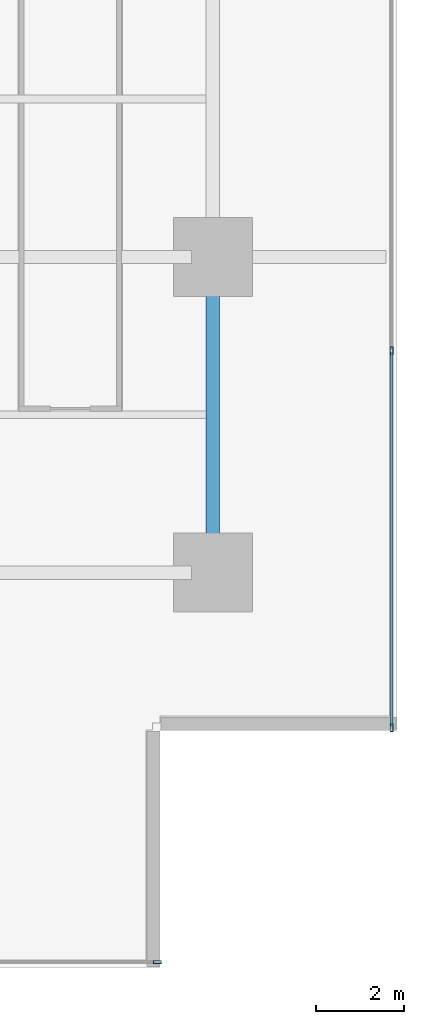
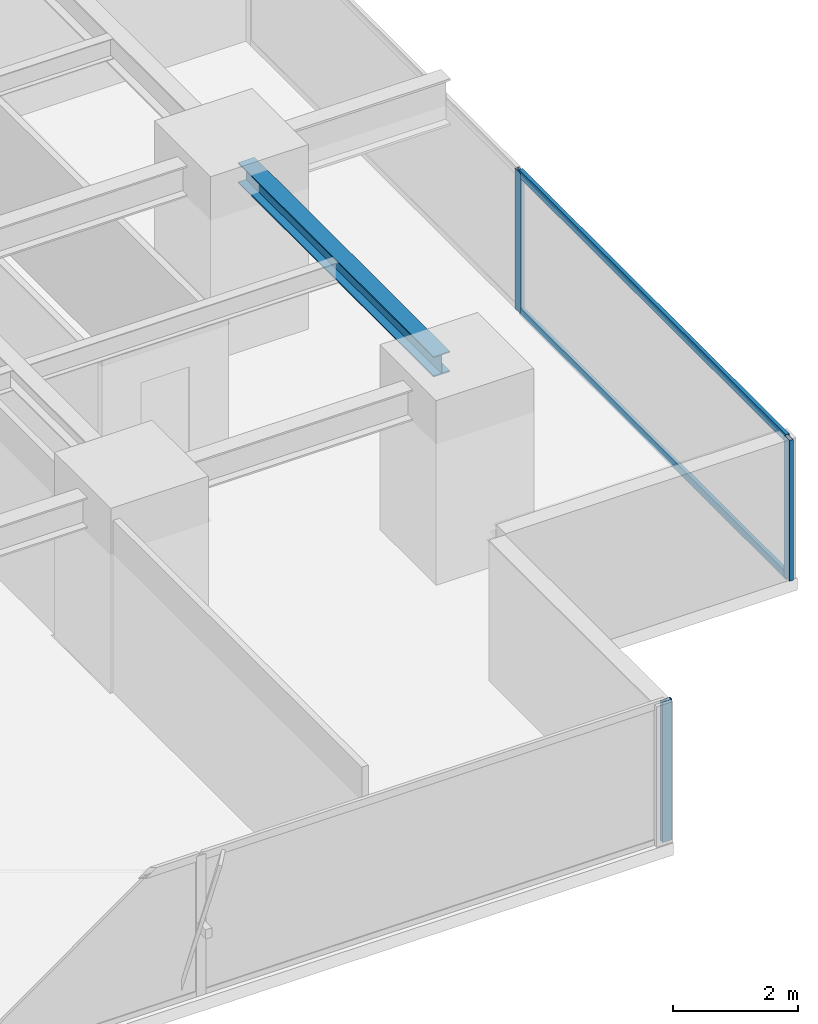
# One storey, part 13 of 33: 5 members, 1 beam, 2 elements without a shape of their own.
"""IFC4 building model written with IfcOpenShell, lengths in metres."""

from ifc_helpers import new_model, si_unit, direction, frame, origin, origin_2d, place, context, subcontext, project, spatial, hollow_rectangle, i_section, extrude, source, transform, mapped, material, layer, layer_set, material_profile, profile_set, type_object, element, aggregate, save


model = new_model("IFC4")

# Units and contexts
model_context = context("Model", 3, precision=1e-05, world=origin(), true_north=direction((0.0, 1.0)))
body_context = subcontext(model_context, "Body", "Model", "MODEL_VIEW")
ifc_project = project(units=[si_unit("LENGTHUNIT", "METRE"), si_unit("AREAUNIT", "SQUARE_METRE"), si_unit("VOLUMEUNIT", "CUBIC_METRE"), si_unit("PLANEANGLEUNIT", "RADIAN"), si_unit("MASSUNIT", "GRAM", prefix="KILO")], contexts=[model_context])

# Site, building, storey
site_placement = place(None, origin())
site = spatial("IfcSite", under=ifc_project, at=site_placement, CompositionType="ELEMENT")
building_placement = place(site_placement, origin())
building = spatial("IfcBuilding", under=site, at=building_placement, Name="Sumidabori Civic Tower", CompositionType="ELEMENT")
storey_placement = place(building_placement, frame((0.0, 0.0, 27.199951171875)))
storey = spatial("IfcBuildingStorey", under=building, at=storey_placement, Name="L06", CompositionType="ELEMENT", Elevation=27.199951171875)

# Beam
ifc_material_1 = material(Name="Steel SN490", Category="steel")
ifc_material_profile_1 = material_profile(ifc_material_1, i_section(OverallWidth=0.300048828125, OverallDepth=0.39990234375, WebThickness=0.013427734375, FlangeThickness=0.02392578125, at=origin_2d()), Name="HE 400 B")
ifc_profile_set_1 = profile_set([ifc_material_profile_1], Name="Steel SN490")
beam_type = type_object("IfcBeamType", Name="BM-GIRD-400", PredefinedType="BEAM", material=ifc_profile_set_1)
shared_shape_1 = source(origin(), body_context, "Body", "SweptSolid", [
    extrude(i_section(OverallWidth=0.300048828125, OverallDepth=0.39990234375, WebThickness=0.013427734375, FlangeThickness=0.02392578125, at=origin_2d()), origin(), (0.0, 0.0, 1.0), 6.239990234375),
])
beam_placement = place(storey_placement, frame((22.800048828125, -17.52001953125, 3.16015625), z_axis=(0.0, 1.0, 0.0), x_axis=(-1.0, 0.0, 0.0)))
element("IfcBeam", 1, at=beam_placement, inside=storey, type_object=beam_type, Name="Primary Girder L06 GY-39", PredefinedType="BEAM", context=body_context, shape_type="MappedRepresentation", body=[
    mapped(shared_shape_1, transform((0.0, 0.0, 0.0), x_axis=(1.0, 0.0, 0.0), y_axis=(0.0, 1.0, 0.0), z_axis=(0.0, 0.0, 1.0), scale=1.0)),
])

# Curtain wall, member
ifc_material_2 = material(Name="Anodised Bronze Aluminium AW-6063-T6", Category="aluminium")
ifc_layer = layer(ifc_material_2, 0.179931640625, Name="Anodised Bronze Aluminium AW-6063-T6")
ifc_layer_set = layer_set([ifc_layer], Name="Anodised Bronze Aluminium AW-6063-T6")
curtain_wall_type = type_object("IfcCurtainWallType", Name="CW-SYS-2", PredefinedType="NOTDEFINED", material=ifc_layer_set)
curtain_wall_1_placement = place(storey_placement, origin())
curtain_wall_1 = element("IfcCurtainWall", 2, at=curtain_wall_1_placement, inside=storey, type_object=curtain_wall_type, Name="Curtain Wall CW:L06:R01", PredefinedType="NOTDEFINED")
ifc_material_profile_2 = material_profile(ifc_material_2, hollow_rectangle(XDim=0.070068359375, YDim=0.179931640625, WallThickness=0.006103515625, at=origin_2d()), Name="ALU MULLION 180x70")
ifc_profile_set_2 = profile_set([ifc_material_profile_2], Name="Anodised Bronze Aluminium AW-6063-T6")
member_type_1 = type_object("IfcMemberType", Name="CW-MUL-180", PredefinedType="MULLION", material=ifc_profile_set_2)
shared_shape_2 = source(origin(), body_context, "Body", "SweptSolid", [
    extrude(hollow_rectangle(XDim=0.070068359375, YDim=0.179931640625, WallThickness=0.006103515625, at=origin_2d()), origin(), (0.0, 0.0, 1.0), 2.739990234375),
])
member_1_placement = place(storey_placement, frame((21.534912109375, -26.8798828125, 0.0), z_axis=(0.0, 0.0, 1.0), x_axis=(0.0, 1.0, 0.0)))
member_1 = element("IfcMember", 3, at=member_1_placement, type_object=member_type_1, Name="CW-2 mullion 6", PredefinedType="MULLION", context=body_context, shape_type="MappedRepresentation", body=[
    mapped(shared_shape_2, transform((0.0, 0.0, 0.0), x_axis=(1.0, 0.0, 0.0), y_axis=(0.0, 1.0, 0.0), z_axis=(0.0, 0.0, 1.0), scale=1.0)),
])
aggregate(curtain_wall_1, [member_1])

# Curtain wall, members
curtain_wall_2_placement = place(storey_placement, origin())
curtain_wall_2 = element("IfcCurtainWall", 4, at=curtain_wall_2_placement, inside=storey, type_object=curtain_wall_type, Name="Curtain Wall CW:L06:R04", PredefinedType="NOTDEFINED")
member_2_placement = place(storey_placement, frame((26.8798828125, -21.534912109375, 0.0), z_axis=(0.0, 0.0, 1.0), x_axis=(-1.0, 0.0, 0.0)))
member_2 = element("IfcMember", 5, at=member_2_placement, type_object=member_type_1, Name="CW-2 mullion 1", PredefinedType="MULLION", context=body_context, shape_type="MappedRepresentation", body=[
    mapped(shared_shape_2, transform((0.0, 0.0, 0.0), x_axis=(1.0, 0.0, 0.0), y_axis=(0.0, 1.0, 0.0), z_axis=(0.0, 0.0, 1.0), scale=1.0)),
])
member_3_placement = place(storey_placement, frame((26.8798828125, -12.94189453125, 0.0), z_axis=(0.0, 0.0, 1.0), x_axis=(-1.0, 0.0, 0.0)))
member_3 = element("IfcMember", 6, at=member_3_placement, type_object=member_type_1, Name="CW-2 mullion 2", PredefinedType="MULLION", context=body_context, shape_type="MappedRepresentation", body=[
    mapped(shared_shape_2, transform((0.0, 0.0, 0.0), x_axis=(1.0, 0.0, 0.0), y_axis=(0.0, 1.0, 0.0), z_axis=(0.0, 0.0, 1.0), scale=1.0)),
])
ifc_material_profile_3 = material_profile(ifc_material_2, hollow_rectangle(XDim=0.06494140625, YDim=0.14990234375, WallThickness=0.0048828125, at=origin_2d()), Name="ALU TRANSOM 150x65")
ifc_profile_set_3 = profile_set([ifc_material_profile_3], Name="Anodised Bronze Aluminium AW-6063-T6")
member_type_2 = type_object("IfcMemberType", Name="CW-TRN-150", PredefinedType="USERDEFINED", material=ifc_profile_set_3)
shared_shape_3 = source(origin(), body_context, "Body", "SweptSolid", [
    extrude(hollow_rectangle(XDim=0.06494140625, YDim=0.14990234375, WallThickness=0.0048828125, at=origin_2d()), origin(), (0.0, 0.0, 1.0), 8.52294921875),
])
member_4_placement = place(storey_placement, frame((26.8798828125, -21.5, 0.032470703125), z_axis=(0.0, 1.0, 0.0), x_axis=(-1.0, 0.0, 0.0)))
member_4 = element("IfcMember", 7, at=member_4_placement, type_object=member_type_2, Name="CW-2 transom 1.1", ObjectType="TRANSOM", PredefinedType="USERDEFINED", context=body_context, shape_type="MappedRepresentation", body=[
    mapped(shared_shape_3, transform((0.0, 0.0, 0.0), x_axis=(1.0, 0.0, 0.0), y_axis=(0.0, 1.0, 0.0), z_axis=(0.0, 0.0, 1.0), scale=1.0)),
])
member_5_placement = place(storey_placement, frame((26.8798828125, -21.5, 2.70751953125), z_axis=(0.0, 1.0, 0.0), x_axis=(-1.0, 0.0, 0.0)))
member_5 = element("IfcMember", 8, at=member_5_placement, type_object=member_type_2, Name="CW-2 transom 1.2", ObjectType="TRANSOM", PredefinedType="USERDEFINED", context=body_context, shape_type="MappedRepresentation", body=[
    mapped(shared_shape_3, transform((0.0, 0.0, 0.0), x_axis=(1.0, 0.0, 0.0), y_axis=(0.0, 1.0, 0.0), z_axis=(0.0, 0.0, 1.0), scale=1.0)),
])
aggregate(curtain_wall_2, [member_2, member_3, member_4, member_5])

save(model, "model.ifc")
